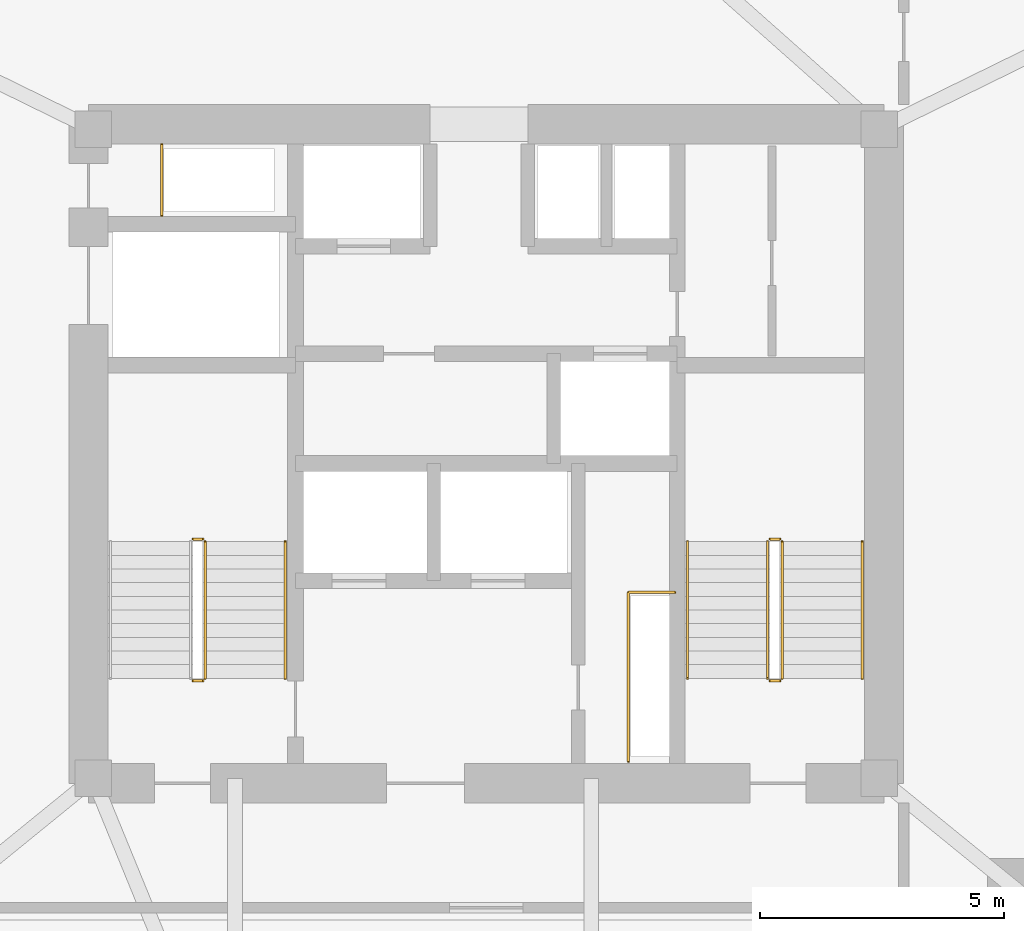
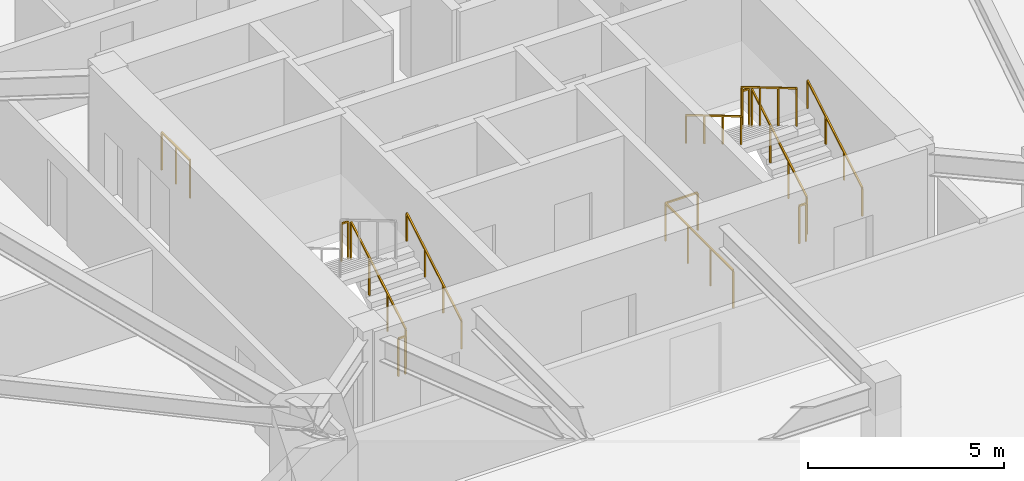
# One storey, part 15 of 15: 12 railings.
"""IFC4 building model written with IfcOpenShell, lengths in metres."""

from ifc_helpers import new_model, si_unit, direction, frame, origin, origin_2d, place, context, subcontext, project, spatial, rectangle, extrude, material, type_object, element, save


model = new_model("IFC4")

# Units and contexts
model_context = context("Model", 3, precision=1e-05, world=origin(), true_north=direction((0.0, 1.0)))
body_context = subcontext(model_context, "Body", "Model", "MODEL_VIEW")
ifc_project = project(units=[si_unit("LENGTHUNIT", "METRE"), si_unit("AREAUNIT", "SQUARE_METRE"), si_unit("VOLUMEUNIT", "CUBIC_METRE"), si_unit("PLANEANGLEUNIT", "RADIAN"), si_unit("MASSUNIT", "GRAM", prefix="KILO")], contexts=[model_context])

# Site, building, storey
site_placement = place(None, origin())
site = spatial("IfcSite", under=ifc_project, at=site_placement, CompositionType="ELEMENT")
building_placement = place(site_placement, origin())
building = spatial("IfcBuilding", under=site, at=building_placement, Name="Talyreon Biosciences Tower", CompositionType="ELEMENT")
storey_placement = place(building_placement, frame((0.0, 0.0, 111.5)))
storey = spatial("IfcBuildingStorey", under=building, at=storey_placement, Name="L29", CompositionType="ELEMENT", Elevation=111.5)

# Railings
ifc_material_1 = material(Name="Brushed stainless-steel tubular handrail", Category="steel")
railing_type_1 = type_object("IfcRailingType", Name="StairWallHandrail_900", PredefinedType="HANDRAIL", material=ifc_material_1)
for number, where, name in (
    (1, (61.8798828125, 63.39990234375, 0.166015625), "L29 ST-1 stair handrail 1"),
    (2, (73.699951171875, 63.39990234375, 0.166015625), "L29 ST-2 stair handrail 1"),
):
    element("IfcRailing", number, at=place(storey_placement, frame(where)), inside=storey, type_object=railing_type_1, Name=name, PredefinedType="HANDRAIL", context=body_context, shape_type="SweptSolid", body=[
        extrude(rectangle(XDim=0.048095703125, YDim=0.048095703125, at=origin_2d()), frame((0.0, 0.0, 0.8759765625), z_axis=(0.0, 0.860339051648, 0.50972219513), x_axis=(-1.0, 0.0, 0.0)), (0.0, 0.0, 1.0), 3.254638671875),
        extrude(rectangle(XDim=0.0419921875, YDim=0.0419921875, at=origin_2d()), origin(), (0.0, 0.0, 1.0), 0.851806640625),
        extrude(rectangle(XDim=0.0419921875, YDim=0.0419921875, at=origin_2d()), frame((0.0, 0.933349609375, 0.552978515625)), (0.0, 0.0, 1.0), 0.851806640625),
        extrude(rectangle(XDim=0.0419921875, YDim=0.0419921875, at=origin_2d()), frame((0.0, 1.86669921875, 1.10595703125)), (0.0, 0.0, 1.0), 0.851806640625),
        extrude(rectangle(XDim=0.0419921875, YDim=0.0419921875, at=origin_2d()), frame((0.0, 2.800048828125, 1.658935546875)), (0.0, 0.0, 1.0), 0.851806640625),
    ])
railing_1_placement = place(storey_placement, frame((70.1201171875, 66.199951171875, 1.990966796875)))
element("IfcRailing", 3, at=railing_1_placement, inside=storey, type_object=railing_type_1, Name="L29 ST-2 stair handrail 2", PredefinedType="HANDRAIL", context=body_context, shape_type="SweptSolid", body=[
    extrude(rectangle(XDim=0.048095703125, YDim=0.048095703125, at=origin_2d()), frame((0.0, 0.0, 0.8759765625), z_axis=(0.0, -0.860339051648, 0.50972219513), x_axis=(1.0, 0.0, 0.0)), (0.0, 0.0, 1.0), 3.254638671875),
    extrude(rectangle(XDim=0.0419921875, YDim=0.0419921875, at=origin_2d()), origin(), (0.0, 0.0, 1.0), 0.851806640625),
    extrude(rectangle(XDim=0.0419921875, YDim=0.0419921875, at=origin_2d()), frame((0.0, -0.933349609375, 0.552978515625)), (0.0, 0.0, 1.0), 0.851806640625),
    extrude(rectangle(XDim=0.0419921875, YDim=0.0419921875, at=origin_2d()), frame((0.0, -1.86669921875, 1.10595703125)), (0.0, 0.0, 1.0), 0.851806640625),
    extrude(rectangle(XDim=0.0419921875, YDim=0.0419921875, at=origin_2d()), frame((0.0, -2.800048828125, 1.658935546875)), (0.0, 0.0, 1.0), 0.851806640625),
])
ifc_material_2 = material(Name="Painted galvanised steel post-and-rail balustrade", Category="steel")
railing_type_2 = type_object("IfcRailingType", Name="TerraceStairGuard_1200", PredefinedType="GUARDRAIL", material=ifc_material_2)
railing_2_placement = place(storey_placement, frame((60.239990234375, 63.39990234375, 0.166015625)))
element("IfcRailing", 4, at=railing_2_placement, inside=storey, type_object=railing_type_2, Name="L29 ST-1 stair guard 1", PredefinedType="GUARDRAIL", context=body_context, shape_type="SweptSolid", body=[
    extrude(rectangle(XDim=0.048095703125, YDim=0.048095703125, at=origin_2d()), frame((0.0, 0.0, 1.17578125), z_axis=(0.0, 0.860339051648, 0.50972219513), x_axis=(-1.0, 0.0, 0.0)), (0.0, 0.0, 1.0), 3.254638671875),
    extrude(rectangle(XDim=0.0419921875, YDim=0.0419921875, at=origin_2d()), origin(), (0.0, 0.0, 1.0), 1.15185546875),
    extrude(rectangle(XDim=0.0419921875, YDim=0.0419921875, at=origin_2d()), frame((0.0, 0.933349609375, 0.552978515625)), (0.0, 0.0, 1.0), 1.15185546875),
    extrude(rectangle(XDim=0.0419921875, YDim=0.0419921875, at=origin_2d()), frame((0.0, 1.86669921875, 1.10595703125)), (0.0, 0.0, 1.0), 1.15185546875),
    extrude(rectangle(XDim=0.0419921875, YDim=0.0419921875, at=origin_2d()), frame((0.0, 2.800048828125, 1.658935546875)), (0.0, 0.0, 1.0), 1.15185546875),
])
for number, where, name in (
    (5, (60.18994140625, 66.25, 1.824951171875), "L29 ST-1 stair guard 2"),
    (6, (60.18994140625, 63.35009765625, 0.0), "L29 ST-1 stair guard 4"),
):
    element("IfcRailing", number, at=place(storey_placement, frame(where)), inside=storey, type_object=railing_type_2, Name=name, PredefinedType="GUARDRAIL", context=body_context, shape_type="SweptSolid", body=[
        extrude(rectangle(XDim=0.048095703125, YDim=0.048095703125, at=origin_2d()), frame((0.0, 0.0, 1.17578125), z_axis=(-1.0, 0.0, 0.0), x_axis=(0.0, -1.0, 0.0)), (0.0, 0.0, 1.0), 0.199951171875),
        extrude(rectangle(XDim=0.0419921875, YDim=0.0419921875, at=origin_2d()), origin(), (0.0, 0.0, 1.0), 1.15185546875),
        extrude(rectangle(XDim=0.0419921875, YDim=0.0419921875, at=origin_2d()), frame((-0.199951171875, 0.0, 0.0)), (0.0, 0.0, 1.0), 1.15185546875),
    ])
railing_3_placement = place(storey_placement, frame((72.06005859375, 63.39990234375, 0.166015625)))
element("IfcRailing", 7, at=railing_3_placement, inside=storey, type_object=railing_type_2, Name="L29 ST-2 stair guard 1", PredefinedType="GUARDRAIL", context=body_context, shape_type="SweptSolid", body=[
    extrude(rectangle(XDim=0.048095703125, YDim=0.048095703125, at=origin_2d()), frame((0.0, 0.0, 1.17578125), z_axis=(0.0, 0.860339051648, 0.50972219513), x_axis=(-1.0, 0.0, 0.0)), (0.0, 0.0, 1.0), 3.254638671875),
    extrude(rectangle(XDim=0.0419921875, YDim=0.0419921875, at=origin_2d()), origin(), (0.0, 0.0, 1.0), 1.15185546875),
    extrude(rectangle(XDim=0.0419921875, YDim=0.0419921875, at=origin_2d()), frame((0.0, 0.933349609375, 0.552978515625)), (0.0, 0.0, 1.0), 1.15185546875),
    extrude(rectangle(XDim=0.0419921875, YDim=0.0419921875, at=origin_2d()), frame((0.0, 1.86669921875, 1.10595703125)), (0.0, 0.0, 1.0), 1.15185546875),
    extrude(rectangle(XDim=0.0419921875, YDim=0.0419921875, at=origin_2d()), frame((0.0, 2.800048828125, 1.658935546875)), (0.0, 0.0, 1.0), 1.15185546875),
])
railing_4_placement = place(storey_placement, frame((72.010009765625, 66.25, 1.824951171875)))
element("IfcRailing", 8, at=railing_4_placement, inside=storey, type_object=railing_type_2, Name="L29 ST-2 stair guard 2", PredefinedType="GUARDRAIL", context=body_context, shape_type="SweptSolid", body=[
    extrude(rectangle(XDim=0.048095703125, YDim=0.048095703125, at=origin_2d()), frame((0.0, 0.0, 1.17578125), z_axis=(-1.0, 0.0, 0.0), x_axis=(0.0, -1.0, 0.0)), (0.0, 0.0, 1.0), 0.199951171875),
    extrude(rectangle(XDim=0.0419921875, YDim=0.0419921875, at=origin_2d()), origin(), (0.0, 0.0, 1.0), 1.15185546875),
    extrude(rectangle(XDim=0.0419921875, YDim=0.0419921875, at=origin_2d()), frame((-0.199951171875, 0.0, 0.0)), (0.0, 0.0, 1.0), 1.15185546875),
])
railing_5_placement = place(storey_placement, frame((71.760009765625, 66.199951171875, 1.990966796875)))
element("IfcRailing", 9, at=railing_5_placement, inside=storey, type_object=railing_type_2, Name="L29 ST-2 stair guard 3", PredefinedType="GUARDRAIL", context=body_context, shape_type="SweptSolid", body=[
    extrude(rectangle(XDim=0.048095703125, YDim=0.048095703125, at=origin_2d()), frame((0.0, 0.0, 1.17578125), z_axis=(0.0, -0.860339051648, 0.50972219513), x_axis=(1.0, 0.0, 0.0)), (0.0, 0.0, 1.0), 3.254638671875),
    extrude(rectangle(XDim=0.0419921875, YDim=0.0419921875, at=origin_2d()), origin(), (0.0, 0.0, 1.0), 1.15185546875),
    extrude(rectangle(XDim=0.0419921875, YDim=0.0419921875, at=origin_2d()), frame((0.0, -0.933349609375, 0.552978515625)), (0.0, 0.0, 1.0), 1.15185546875),
    extrude(rectangle(XDim=0.0419921875, YDim=0.0419921875, at=origin_2d()), frame((0.0, -1.86669921875, 1.10595703125)), (0.0, 0.0, 1.0), 1.15185546875),
    extrude(rectangle(XDim=0.0419921875, YDim=0.0419921875, at=origin_2d()), frame((0.0, -2.800048828125, 1.658935546875)), (0.0, 0.0, 1.0), 1.15185546875),
])
railing_6_placement = place(storey_placement, frame((72.010009765625, 63.35009765625, 0.0)))
element("IfcRailing", 10, at=railing_6_placement, inside=storey, type_object=railing_type_2, Name="L29 ST-2 stair guard 4", PredefinedType="GUARDRAIL", context=body_context, shape_type="SweptSolid", body=[
    extrude(rectangle(XDim=0.048095703125, YDim=0.048095703125, at=origin_2d()), frame((0.0, 0.0, 1.17578125), z_axis=(-1.0, 0.0, 0.0), x_axis=(0.0, -1.0, 0.0)), (0.0, 0.0, 1.0), 0.199951171875),
    extrude(rectangle(XDim=0.0419921875, YDim=0.0419921875, at=origin_2d()), origin(), (0.0, 0.0, 1.0), 1.15185546875),
    extrude(rectangle(XDim=0.0419921875, YDim=0.0419921875, at=origin_2d()), frame((-0.199951171875, 0.0, 0.0)), (0.0, 0.0, 1.0), 1.15185546875),
])
railing_7_placement = place(storey_placement, frame((59.35009765625, 72.8798828125, 0.0)))
element("IfcRailing", 11, at=railing_7_placement, inside=storey, type_object=railing_type_2, Name="L29 Exhaust Riser Maintenance Guardrail", PredefinedType="GUARDRAIL", context=body_context, shape_type="SweptSolid", body=[
    extrude(rectangle(XDim=0.048095703125, YDim=0.048095703125, at=origin_2d()), frame((0.0, 0.0, 1.17578125), z_axis=(0.0, 1.0, 0.0), x_axis=(-1.0, 0.0, 0.0)), (0.0, 0.0, 1.0), 1.4501953125),
    extrude(rectangle(XDim=0.0419921875, YDim=0.0419921875, at=origin_2d()), origin(), (0.0, 0.0, 1.0), 1.15185546875),
    extrude(rectangle(XDim=0.0419921875, YDim=0.0419921875, at=origin_2d()), frame((0.0, 0.72509765625, 0.0)), (0.0, 0.0, 1.0), 1.15185546875),
    extrude(rectangle(XDim=0.0419921875, YDim=0.0419921875, at=origin_2d()), frame((0.0, 1.4501953125, 0.0)), (0.0, 0.0, 1.0), 1.15185546875),
])
railing_8_placement = place(storey_placement, frame((68.909912109375, 61.699951171875, 0.0)))
element("IfcRailing", 12, at=railing_8_placement, inside=storey, type_object=railing_type_2, Name="L29 Electrical Riser Maintenance Guardrail", PredefinedType="GUARDRAIL", context=body_context, shape_type="SweptSolid", body=[
    extrude(rectangle(XDim=0.048095703125, YDim=0.048095703125, at=origin_2d()), frame((0.0, 0.0, 1.17578125), z_axis=(0.0, 1.0, 0.0), x_axis=(-1.0, 0.0, 0.0)), (0.0, 0.0, 1.0), 3.4599609375),
    extrude(rectangle(XDim=0.048095703125, YDim=0.048095703125, at=origin_2d()), frame((0.0, 3.4599609375, 1.17578125), z_axis=(1.0, 0.0, 0.0), x_axis=(0.0, 1.0, 0.0)), (0.0, 0.0, 1.0), 0.9501953125),
    extrude(rectangle(XDim=0.0419921875, YDim=0.0419921875, at=origin_2d()), origin(), (0.0, 0.0, 1.0), 1.15185546875),
    extrude(rectangle(XDim=0.0419921875, YDim=0.0419921875, at=origin_2d()), frame((0.0, 1.1533203125, 0.0)), (0.0, 0.0, 1.0), 1.15185546875),
    extrude(rectangle(XDim=0.0419921875, YDim=0.0419921875, at=origin_2d()), frame((0.0, 2.306640625, 0.0)), (0.0, 0.0, 1.0), 1.15185546875),
    extrude(rectangle(XDim=0.0419921875, YDim=0.0419921875, at=origin_2d()), frame((0.0, 3.4599609375, 0.0)), (0.0, 0.0, 1.0), 1.15185546875),
    extrude(rectangle(XDim=0.0419921875, YDim=0.0419921875, at=origin_2d()), frame((0.9501953125, 3.4599609375, 0.0)), (0.0, 0.0, 1.0), 1.15185546875),
])

save(model, "model.ifc")
